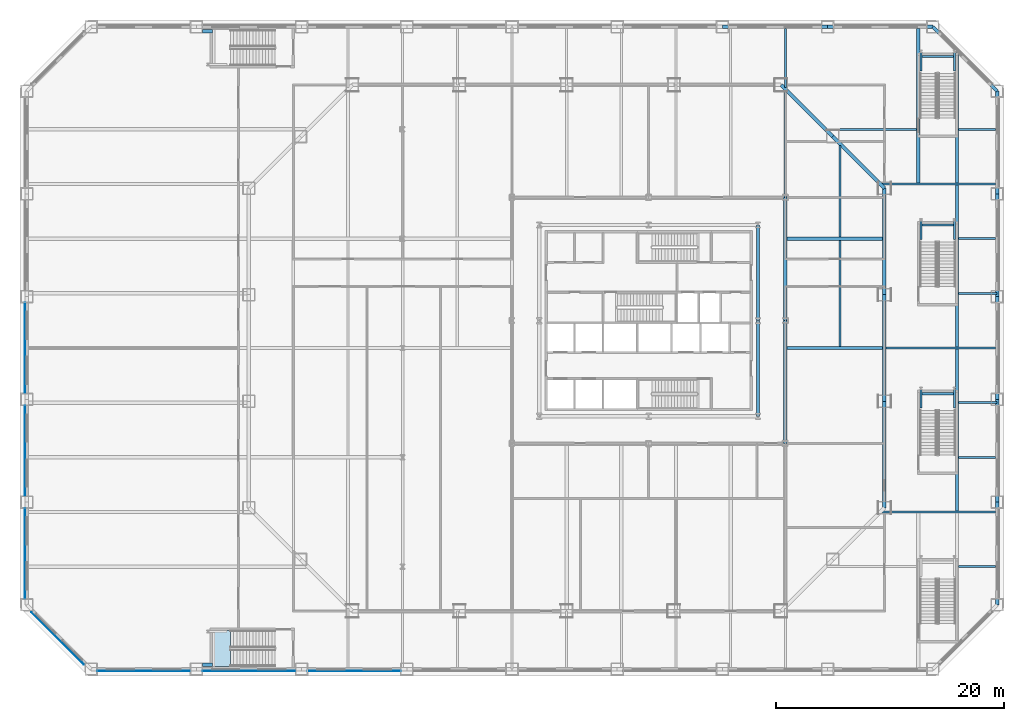
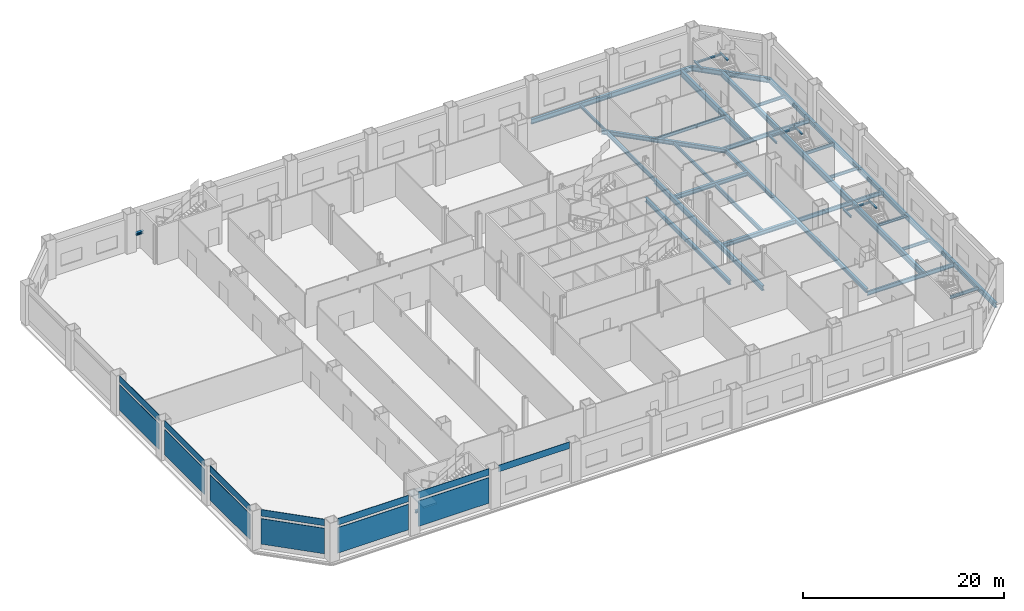
# One storey, part 10 of 26: 48 beams, 13 plates, 1 slab, 1 element without a shape of its own.
"""IFC4 building model written with IfcOpenShell, lengths in metres."""

from ifc_helpers import new_model, si_unit, direction, frame, origin, origin_2d, place, context, subcontext, project, spatial, polyline, rectangle, i_section, outline, extrude, material, layer, layer_set, material_profile, profile_set, type_object, element, aggregate, save


model = new_model("IFC4")

# Units and contexts
model_context = context("Model", 3, precision=1e-05, world=origin(), true_north=direction((0.0, 1.0)))
body_context = subcontext(model_context, "Body", "Model", "MODEL_VIEW")
ifc_project = project(units=[si_unit("LENGTHUNIT", "METRE"), si_unit("AREAUNIT", "SQUARE_METRE"), si_unit("VOLUMEUNIT", "CUBIC_METRE"), si_unit("PLANEANGLEUNIT", "RADIAN"), si_unit("MASSUNIT", "GRAM", prefix="KILO")], contexts=[model_context])

# Site, building, storey
site_placement = place(None, origin())
site = spatial("IfcSite", under=ifc_project, at=site_placement, CompositionType="ELEMENT")
building_placement = place(site_placement, origin())
building = spatial("IfcBuilding", under=site, at=building_placement, Name="Cairn Pilgrim Tower", CompositionType="ELEMENT")
storey_placement = place(building_placement, frame((0.0, 0.0, 25.800048828125)))
storey = spatial("IfcBuildingStorey", under=building, at=storey_placement, Name="L04", CompositionType="ELEMENT", Elevation=25.800048828125)

# Beams
ifc_material_1 = material(Name="Structural steel S355J2", Category="steel")
ifc_material_profile_1 = material_profile(ifc_material_1, i_section(OverallWidth=0.169921875, OverallDepth=0.360107421875, WebThickness=0.008056640625, FlangeThickness=0.0126953125, FilletRadius=0.01806640625, at=origin_2d()), Name="IPE 360")
ifc_profile_set_1 = profile_set([ifc_material_profile_1], Name="Structural steel S355J2")
beam_type_1 = type_object("IfcBeamType", Name="PODIUM BEAM IPE 360", PredefinedType="BEAM", material=ifc_profile_set_1)
for number, where, z_axis, x_axis, name in (
    (1, (34.422119140625, -19.199951171875, -0.380126953125), (1.0, 0.0, 0.0), (0.0, 1.0, 0.0), "PODIUM BEAM PB-IPE360"),
    (2, (34.422119140625, -9.60009765625, -0.380126953125), (1.0, 0.0, 0.0), (0.0, 1.0, 0.0), "PODIUM BEAM PB-IPE360"),
):
    element("IfcBeam", number, at=place(storey_placement, frame(where, z_axis=z_axis, x_axis=x_axis)), inside=storey, type_object=beam_type_1, Name=name, PredefinedType="BEAM", context=body_context, shape_type="SweptSolid", body=[
        extrude(i_section(OverallWidth=0.169921875, OverallDepth=0.360107421875, WebThickness=0.008056640625, FlangeThickness=0.0126953125, FilletRadius=0.01806640625, at=origin_2d()), origin(), (0.0, 0.0, 1.0), 3.225830078125),
    ])
for number, where, z_axis, x_axis, name in (
    (3, (34.422119140625, -4.800048828125, -0.380126953125), (1.0, 0.0, 0.0), (0.0, 1.0, 0.0), "PODIUM BEAM PB-IPE360"),
    (4, (34.422119140625, 4.800048828125, -0.380126953125), (1.0, 0.0, 0.0), (0.0, 1.0, 0.0), "PODIUM BEAM PB-IPE360"),
):
    element("IfcBeam", number, at=place(storey_placement, frame(where, z_axis=z_axis, x_axis=x_axis)), inside=storey, type_object=beam_type_1, Name=name, PredefinedType="BEAM", context=body_context, shape_type="SweptSolid", body=[
        extrude(i_section(OverallWidth=0.169921875, OverallDepth=0.360107421875, WebThickness=0.008056640625, FlangeThickness=0.0126953125, FilletRadius=0.01806640625, at=origin_2d()), origin(), (0.0, 0.0, 1.0), 3.3779296875),
    ])
for number, where, z_axis, x_axis, name in (
    (5, (34.422119140625, 9.60009765625, -0.380126953125), (1.0, 0.0, 0.0), (0.0, 1.0, 0.0), "PODIUM BEAM PB-IPE360"),
    (6, (34.422119140625, 19.199951171875, -0.380126953125), (1.0, 0.0, 0.0), (0.0, 1.0, 0.0), "PODIUM BEAM PB-IPE360"),
):
    element("IfcBeam", number, at=place(storey_placement, frame(where, z_axis=z_axis, x_axis=x_axis)), inside=storey, type_object=beam_type_1, Name=name, PredefinedType="BEAM", context=body_context, shape_type="SweptSolid", body=[
        extrude(i_section(OverallWidth=0.169921875, OverallDepth=0.360107421875, WebThickness=0.008056640625, FlangeThickness=0.0126953125, FilletRadius=0.01806640625, at=origin_2d()), origin(), (0.0, 0.0, 1.0), 3.225830078125),
    ])
beam_1_placement = place(storey_placement, frame((19.199951171875, 22.879150390625, -0.380126953125), z_axis=(0.0, 1.0, 0.0), x_axis=(-1.0, 0.0, 0.0)))
element("IfcBeam", 7, at=beam_1_placement, inside=storey, type_object=beam_type_1, Name="PODIUM BEAM PB-IPE360", PredefinedType="BEAM", context=body_context, shape_type="SweptSolid", body=[
    extrude(i_section(OverallWidth=0.169921875, OverallDepth=0.360107421875, WebThickness=0.008056640625, FlangeThickness=0.0126953125, FilletRadius=0.01806640625, at=origin_2d()), origin(), (0.0, 0.0, 1.0), 5.1689453125),
])
ifc_material_profile_2 = material_profile(ifc_material_1, i_section(OverallWidth=0.179931640625, OverallDepth=0.39990234375, WebThickness=0.008544921875, FlangeThickness=0.013427734375, FilletRadius=0.02099609375, at=origin_2d()), Name="IPE 400")
ifc_profile_set_2 = profile_set([ifc_material_profile_2], Name="Structural steel S355J2")
beam_type_2 = type_object("IfcBeamType", Name="PODIUM BEAM IPE 400", PredefinedType="BEAM", material=ifc_profile_set_2)
beam_2_placement = place(storey_placement, frame((24.0, 9.751953125, -0.400146484375), z_axis=(0.0, 1.0, 0.0), x_axis=(-1.0, 0.0, 0.0)))
element("IfcBeam", 8, at=beam_2_placement, inside=storey, type_object=beam_type_2, Name="PODIUM BEAM PB-IPE400", PredefinedType="BEAM", context=body_context, shape_type="SweptSolid", body=[
    extrude(i_section(OverallWidth=0.179931640625, OverallDepth=0.39990234375, WebThickness=0.008544921875, FlangeThickness=0.013427734375, FilletRadius=0.02099609375, at=origin_2d()), origin(), (0.0, 0.0, 1.0), 8.023193359375),
])
beam_3_placement = place(storey_placement, frame((22.879150390625, 19.199951171875, -0.400146484375), z_axis=(1.0, 0.0, 0.0), x_axis=(0.0, 1.0, 0.0)))
element("IfcBeam", 9, at=beam_3_placement, inside=storey, type_object=beam_type_2, Name="PODIUM BEAM PB-IPE400", PredefinedType="BEAM", context=body_context, shape_type="SweptSolid", body=[
    extrude(i_section(OverallWidth=0.179931640625, OverallDepth=0.39990234375, WebThickness=0.008544921875, FlangeThickness=0.013427734375, FilletRadius=0.02099609375, at=origin_2d()), origin(), (0.0, 0.0, 1.0), 7.848876953125),
])
ifc_material_profile_3 = material_profile(ifc_material_1, i_section(OverallWidth=0.199951171875, OverallDepth=0.5, WebThickness=0.01025390625, FlangeThickness=0.01611328125, FilletRadius=0.02099609375, at=origin_2d()), Name="IPE 500")
ifc_profile_set_3 = profile_set([ifc_material_profile_3], Name="Structural steel S355J2")
beam_type_3 = type_object("IfcBeamType", Name="PODIUM BEAM IPE 500", PredefinedType="BEAM", material=ifc_profile_set_3)
beam_4_placement = place(storey_placement, frame((19.199951171875, 13.199951171875, -0.449951171875), z_axis=(0.0, 1.0, 0.0), x_axis=(-1.0, 0.0, 0.0)))
element("IfcBeam", 10, at=beam_4_placement, inside=storey, type_object=beam_type_3, Name="PODIUM BEAM PB-IPE500", PredefinedType="BEAM", context=body_context, shape_type="SweptSolid", body=[
    extrude(i_section(OverallWidth=0.199951171875, OverallDepth=0.5, WebThickness=0.01025390625, FlangeThickness=0.01611328125, FilletRadius=0.02099609375, at=origin_2d()), origin(), (0.0, 0.0, 1.0), 9.375244140625),
])
beam_5_placement = place(storey_placement, frame((24.0, 0.152099609375, -0.449951171875), z_axis=(0.0, 1.0, 0.0), x_axis=(-1.0, 0.0, 0.0)))
element("IfcBeam", 11, at=beam_5_placement, inside=storey, type_object=beam_type_3, Name="PODIUM BEAM PB-IPE500", PredefinedType="BEAM", context=body_context, shape_type="SweptSolid", body=[
    extrude(i_section(OverallWidth=0.199951171875, OverallDepth=0.5, WebThickness=0.01025390625, FlangeThickness=0.01611328125, FilletRadius=0.02099609375, at=origin_2d()), origin(), (0.0, 0.0, 1.0), 9.2958984375),
])
beam_6_placement = place(storey_placement, frame((27.67919921875, -14.39990234375, -0.449951171875), z_axis=(1.0, 0.0, 0.0), x_axis=(0.0, 1.0, 0.0)))
element("IfcBeam", 12, at=beam_6_placement, inside=storey, type_object=beam_type_3, Name="PODIUM BEAM PB-IPE500", PredefinedType="BEAM", context=body_context, shape_type="SweptSolid", body=[
    extrude(i_section(OverallWidth=0.199951171875, OverallDepth=0.5, WebThickness=0.01025390625, FlangeThickness=0.01611328125, FilletRadius=0.02099609375, at=origin_2d()), origin(), (0.0, 0.0, 1.0), 9.96875),
])
beam_7_placement = place(storey_placement, frame((28.052001953125, 0.0, -0.449951171875), z_axis=(1.0, 0.0, 0.0), x_axis=(0.0, 1.0, 0.0)))
element("IfcBeam", 13, at=beam_7_placement, inside=storey, type_object=beam_type_3, Name="PODIUM BEAM PB-IPE500", PredefinedType="BEAM", context=body_context, shape_type="SweptSolid", body=[
    extrude(i_section(OverallWidth=0.199951171875, OverallDepth=0.5, WebThickness=0.01025390625, FlangeThickness=0.01611328125, FilletRadius=0.02099609375, at=origin_2d()), origin(), (0.0, 0.0, 1.0), 9.595947265625),
])
beam_8_placement = place(storey_placement, frame((27.67919921875, 14.39990234375, -0.449951171875), z_axis=(1.0, 0.0, 0.0), x_axis=(0.0, 1.0, 0.0)))
element("IfcBeam", 14, at=beam_8_placement, inside=storey, type_object=beam_type_3, Name="PODIUM BEAM PB-IPE500", PredefinedType="BEAM", context=body_context, shape_type="SweptSolid", body=[
    extrude(i_section(OverallWidth=0.199951171875, OverallDepth=0.5, WebThickness=0.01025390625, FlangeThickness=0.01611328125, FilletRadius=0.02099609375, at=origin_2d()), origin(), (0.0, 0.0, 1.0), 9.96875),
])
ifc_material_profile_4 = material_profile(ifc_material_1, i_section(OverallWidth=0.300048828125, OverallDepth=0.60009765625, WebThickness=0.015380859375, FlangeThickness=0.030029296875, FilletRadius=0.027099609375, at=origin_2d()), Name="HEB 600")
ifc_profile_set_4 = profile_set([ifc_material_profile_4], Name="Structural steel S355J2")
beam_type_4 = type_object("IfcBeamType", Name="PODIUM EDGE GIRDER HE 600 B", PredefinedType="BEAM", material=ifc_profile_set_4)
beam_9_placement = place(storey_placement, frame((37.800048828125, -22.551513671875, -0.5), z_axis=(0.0, 1.0, 0.0), x_axis=(-1.0, 0.0, 0.0)))
element("IfcBeam", 15, at=beam_9_placement, inside=storey, type_object=beam_type_4, Name="PODIUM EDGE GIRDER PE-HE600B", PredefinedType="BEAM", context=body_context, shape_type="SweptSolid", body=[
    extrude(i_section(OverallWidth=0.300048828125, OverallDepth=0.60009765625, WebThickness=0.015380859375, FlangeThickness=0.030029296875, FilletRadius=0.027099609375, at=origin_2d()), origin(), (0.0, 0.0, 1.0), 9.0205078125),
])
beam_10_placement = place(storey_placement, frame((37.800048828125, -13.531005859375, -0.5), z_axis=(0.0, 1.0, 0.0), x_axis=(-1.0, 0.0, 0.0)))
element("IfcBeam", 16, at=beam_10_placement, inside=storey, type_object=beam_type_4, Name="PODIUM EDGE GIRDER PE-HE600B", PredefinedType="BEAM", context=body_context, shape_type="SweptSolid", body=[
    extrude(i_section(OverallWidth=0.300048828125, OverallDepth=0.60009765625, WebThickness=0.015380859375, FlangeThickness=0.030029296875, FilletRadius=0.027099609375, at=origin_2d()), origin(), (0.0, 0.0, 1.0), 9.020751953125),
])
beam_11_placement = place(storey_placement, frame((37.800048828125, -4.51025390625, -0.5), z_axis=(0.0, 1.0, 0.0), x_axis=(-1.0, 0.0, 0.0)))
element("IfcBeam", 17, at=beam_11_placement, inside=storey, type_object=beam_type_4, Name="PODIUM EDGE GIRDER PE-HE600B", PredefinedType="BEAM", context=body_context, shape_type="SweptSolid", body=[
    extrude(i_section(OverallWidth=0.300048828125, OverallDepth=0.60009765625, WebThickness=0.015380859375, FlangeThickness=0.030029296875, FilletRadius=0.027099609375, at=origin_2d()), origin(), (0.0, 0.0, 1.0), 9.0205078125),
])
beam_12_placement = place(storey_placement, frame((37.800048828125, 4.51025390625, -0.5), z_axis=(0.0, 1.0, 0.0), x_axis=(-1.0, 0.0, 0.0)))
element("IfcBeam", 18, at=beam_12_placement, inside=storey, type_object=beam_type_4, Name="PODIUM EDGE GIRDER PE-HE600B", PredefinedType="BEAM", context=body_context, shape_type="SweptSolid", body=[
    extrude(i_section(OverallWidth=0.300048828125, OverallDepth=0.60009765625, WebThickness=0.015380859375, FlangeThickness=0.030029296875, FilletRadius=0.027099609375, at=origin_2d()), origin(), (0.0, 0.0, 1.0), 9.020751953125),
])
beam_13_placement = place(storey_placement, frame((37.800048828125, 13.531005859375, -0.5), z_axis=(0.0, 1.0, 0.0), x_axis=(-1.0, 0.0, 0.0)))
element("IfcBeam", 19, at=beam_13_placement, inside=storey, type_object=beam_type_4, Name="PODIUM EDGE GIRDER PE-HE600B", PredefinedType="BEAM", context=body_context, shape_type="SweptSolid", body=[
    extrude(i_section(OverallWidth=0.300048828125, OverallDepth=0.60009765625, WebThickness=0.015380859375, FlangeThickness=0.030029296875, FilletRadius=0.027099609375, at=origin_2d()), origin(), (0.0, 0.0, 1.0), 9.0205078125),
])
beam_14_placement = place(storey_placement, frame((37.800048828125, 22.551513671875, -0.5), z_axis=(-0.707106781187, 0.707106781187, 0.0), x_axis=(-0.707106781187, -0.707106781187, 0.0)))
element("IfcBeam", 20, at=beam_14_placement, inside=storey, type_object=beam_type_4, Name="PODIUM EDGE GIRDER PE-HE600B", PredefinedType="BEAM", context=body_context, shape_type="SweptSolid", body=[
    extrude(i_section(OverallWidth=0.300048828125, OverallDepth=0.60009765625, WebThickness=0.015380859375, FlangeThickness=0.030029296875, FilletRadius=0.027099609375, at=origin_2d()), origin(), (0.0, 0.0, 1.0), 7.988037109375),
])
beam_15_placement = place(storey_placement, frame((32.151611328125, 28.199951171875, -0.5), z_axis=(-1.0, 0.0, 0.0), x_axis=(0.0, -1.0, 0.0)))
element("IfcBeam", 21, at=beam_15_placement, inside=storey, type_object=beam_type_4, Name="PODIUM EDGE GIRDER PE-HE600B", PredefinedType="BEAM", context=body_context, shape_type="SweptSolid", body=[
    extrude(i_section(OverallWidth=0.300048828125, OverallDepth=0.60009765625, WebThickness=0.015380859375, FlangeThickness=0.030029296875, FilletRadius=0.027099609375, at=origin_2d()), origin(), (0.0, 0.0, 1.0), 9.238037109375),
])
beam_16_placement = place(storey_placement, frame((22.91357421875, 28.199951171875, -0.5), z_axis=(-1.0, 0.0, 0.0), x_axis=(0.0, -1.0, 0.0)))
element("IfcBeam", 22, at=beam_16_placement, inside=storey, type_object=beam_type_4, Name="PODIUM EDGE GIRDER PE-HE600B", PredefinedType="BEAM", context=body_context, shape_type="SweptSolid", body=[
    extrude(i_section(OverallWidth=0.300048828125, OverallDepth=0.60009765625, WebThickness=0.015380859375, FlangeThickness=0.030029296875, FilletRadius=0.027099609375, at=origin_2d()), origin(), (0.0, 0.0, 1.0), 9.23779296875),
])
ifc_material_profile_5 = material_profile(ifc_material_1, i_section(OverallWidth=0.300048828125, OverallDepth=0.5, WebThickness=0.014404296875, FlangeThickness=0.028076171875, FilletRadius=0.027099609375, at=origin_2d()), Name="HEB 500")
ifc_profile_set_5 = profile_set([ifc_material_profile_5], Name="Structural steel S355J2")
beam_type_5 = type_object("IfcBeamType", Name="PODIUM GIRDER HE 500 B", PredefinedType="BEAM", material=ifc_profile_set_5)
beam_17_placement = place(storey_placement, frame((27.89990234375, -14.027099609375, -0.449951171875), z_axis=(0.0, 1.0, 0.0), x_axis=(-1.0, 0.0, 0.0)))
element("IfcBeam", 23, at=beam_17_placement, inside=storey, type_object=beam_type_5, Name="PODIUM GIRDER PG-HE500B", PredefinedType="BEAM", context=body_context, shape_type="SweptSolid", body=[
    extrude(i_section(OverallWidth=0.300048828125, OverallDepth=0.5, WebThickness=0.014404296875, FlangeThickness=0.028076171875, FilletRadius=0.027099609375, at=origin_2d()), origin(), (0.0, 0.0, 1.0), 9.351318359375),
])
beam_18_placement = place(storey_placement, frame((27.89990234375, -4.67578125, -0.449951171875), z_axis=(0.0, 1.0, 0.0), x_axis=(-1.0, 0.0, 0.0)))
element("IfcBeam", 24, at=beam_18_placement, inside=storey, type_object=beam_type_5, Name="PODIUM GIRDER PG-HE500B", PredefinedType="BEAM", context=body_context, shape_type="SweptSolid", body=[
    extrude(i_section(OverallWidth=0.300048828125, OverallDepth=0.5, WebThickness=0.014404296875, FlangeThickness=0.028076171875, FilletRadius=0.027099609375, at=origin_2d()), origin(), (0.0, 0.0, 1.0), 9.3515625),
])
beam_19_placement = place(storey_placement, frame((27.89990234375, 4.67578125, -0.449951171875), z_axis=(0.0, 1.0, 0.0), x_axis=(-1.0, 0.0, 0.0)))
element("IfcBeam", 25, at=beam_19_placement, inside=storey, type_object=beam_type_5, Name="PODIUM GIRDER PG-HE500B", PredefinedType="BEAM", context=body_context, shape_type="SweptSolid", body=[
    extrude(i_section(OverallWidth=0.300048828125, OverallDepth=0.5, WebThickness=0.014404296875, FlangeThickness=0.028076171875, FilletRadius=0.027099609375, at=origin_2d()), origin(), (0.0, 0.0, 1.0), 9.351318359375),
])
for number, where, z_axis, x_axis, name in (
    (26, (27.89990234375, 14.027099609375, -0.449951171875), (-0.707087753759, 0.707125808102, 0.0), (-0.707125808102, -0.707087753759, 0.0), "PODIUM GIRDER PG-HE500B"),
    (27, (23.363525390625, 18.563720703125, -0.449951171875), (-0.707106781187, 0.707106781187, 0.0), (-0.707106781187, -0.707106781187, 0.0), "PODIUM GIRDER PG-HE500B"),
):
    element("IfcBeam", number, at=place(storey_placement, frame(where, z_axis=z_axis, x_axis=x_axis)), inside=storey, type_object=beam_type_5, Name=name, PredefinedType="BEAM", context=body_context, shape_type="SweptSolid", body=[
        extrude(i_section(OverallWidth=0.300048828125, OverallDepth=0.5, WebThickness=0.014404296875, FlangeThickness=0.028076171875, FilletRadius=0.027099609375, at=origin_2d()), origin(), (0.0, 0.0, 1.0), 6.41552734375),
    ])
beam_20_placement = place(storey_placement, frame((16.800048828125, -6.0, -0.449951171875), z_axis=(0.0, 1.0, 0.0), x_axis=(-1.0, 0.0, 0.0)))
element("IfcBeam", 28, at=beam_20_placement, inside=storey, type_object=beam_type_5, Name="PODIUM GIRDER PG-HE500B", PredefinedType="BEAM", context=body_context, shape_type="SweptSolid", body=[
    extrude(i_section(OverallWidth=0.300048828125, OverallDepth=0.5, WebThickness=0.014404296875, FlangeThickness=0.028076171875, FilletRadius=0.027099609375, at=origin_2d()), origin(), (0.0, 0.0, 1.0), 8.39990234375),
])
beam_21_placement = place(storey_placement, frame((16.800048828125, 2.39990234375, -0.449951171875), z_axis=(0.0, 1.0, 0.0), x_axis=(-1.0, 0.0, 0.0)))
element("IfcBeam", 29, at=beam_21_placement, inside=storey, type_object=beam_type_5, Name="PODIUM GIRDER PG-HE500B", PredefinedType="BEAM", context=body_context, shape_type="SweptSolid", body=[
    extrude(i_section(OverallWidth=0.300048828125, OverallDepth=0.5, WebThickness=0.014404296875, FlangeThickness=0.028076171875, FilletRadius=0.027099609375, at=origin_2d()), origin(), (0.0, 0.0, 1.0), 8.400146484375),
])
for number, where, z_axis, x_axis, name in (
    (30, (19.35205078125, 0.0, -0.449951171875), (1.0, 0.0, 0.0), (0.0, 1.0, 0.0), "PODIUM GIRDER PG-HE500B"),
    (31, (19.35205078125, 9.60009765625, -0.449951171875), (1.0, 0.0, 0.0), (0.0, 1.0, 0.0), "PODIUM GIRDER PG-HE500B"),
):
    element("IfcBeam", number, at=place(storey_placement, frame(where, z_axis=z_axis, x_axis=x_axis)), inside=storey, type_object=beam_type_5, Name=name, PredefinedType="BEAM", context=body_context, shape_type="SweptSolid", body=[
        extrude(i_section(OverallWidth=0.300048828125, OverallDepth=0.5, WebThickness=0.014404296875, FlangeThickness=0.028076171875, FilletRadius=0.027099609375, at=origin_2d()), origin(), (0.0, 0.0, 1.0), 8.39599609375),
    ])
ifc_material_profile_6 = material_profile(ifc_material_1, i_section(OverallWidth=0.300048828125, OverallDepth=0.60009765625, WebThickness=0.015380859375, FlangeThickness=0.030029296875, FilletRadius=0.027099609375, at=origin_2d()), Name="HEB 600")
ifc_profile_set_6 = profile_set([ifc_material_profile_6], Name="Structural steel S355J2")
beam_type_6 = type_object("IfcBeamType", Name="PODIUM GIRDER HE 600 B", PredefinedType="BEAM", material=ifc_profile_set_6)
beam_22_placement = place(storey_placement, frame((19.199951171875, -8.39990234375, -0.5), z_axis=(0.0, 1.0, 0.0), x_axis=(-1.0, 0.0, 0.0)))
element("IfcBeam", 32, at=beam_22_placement, inside=storey, type_object=beam_type_6, Name="PODIUM GIRDER PG-HE600B", PredefinedType="BEAM", context=body_context, shape_type="SweptSolid", body=[
    extrude(i_section(OverallWidth=0.300048828125, OverallDepth=0.60009765625, WebThickness=0.015380859375, FlangeThickness=0.030029296875, FilletRadius=0.027099609375, at=origin_2d()), origin(), (0.0, 0.0, 1.0), 10.7998046875),
])
beam_23_placement = place(storey_placement, frame((19.199951171875, 2.39990234375, -0.5), z_axis=(0.0, 1.0, 0.0), x_axis=(-1.0, 0.0, 0.0)))
element("IfcBeam", 33, at=beam_23_placement, inside=storey, type_object=beam_type_6, Name="PODIUM GIRDER PG-HE600B", PredefinedType="BEAM", context=body_context, shape_type="SweptSolid", body=[
    extrude(i_section(OverallWidth=0.300048828125, OverallDepth=0.60009765625, WebThickness=0.015380859375, FlangeThickness=0.030029296875, FilletRadius=0.027099609375, at=origin_2d()), origin(), (0.0, 0.0, 1.0), 10.800048828125),
])
beam_24_placement = place(storey_placement, frame((34.27001953125, 14.501953125, -0.5), z_axis=(0.0, 1.0, 0.0), x_axis=(-1.0, 0.0, 0.0)))
element("IfcBeam", 34, at=beam_24_placement, inside=storey, type_object=beam_type_6, Name="PODIUM GIRDER PG-HE600B", PredefinedType="BEAM", context=body_context, shape_type="SweptSolid", body=[
    extrude(i_section(OverallWidth=0.300048828125, OverallDepth=0.60009765625, WebThickness=0.015380859375, FlangeThickness=0.030029296875, FilletRadius=0.027099609375, at=origin_2d()), origin(), (0.0, 0.0, 1.0), 11.427490234375),
])
ifc_material_profile_7 = material_profile(ifc_material_1, i_section(OverallWidth=0.300048828125, OverallDepth=0.699951171875, WebThickness=0.01708984375, FlangeThickness=0.031982421875, FilletRadius=0.027099609375, at=origin_2d()), Name="HEB 700")
ifc_profile_set_7 = profile_set([ifc_material_profile_7], Name="Structural steel S355J2")
beam_type_7 = type_object("IfcBeamType", Name="PODIUM GIRDER HE 700 B", PredefinedType="BEAM", material=ifc_profile_set_7)
for number, where, z_axis, x_axis, name in (
    (35, (34.27001953125, -14.298095703125, -0.550048828125), (0.0, 1.0, 0.0), (-1.0, 0.0, 0.0), "PODIUM GIRDER PG-HE700B"),
    (36, (34.27001953125, 0.10205078125, -0.550048828125), (0.0, 1.0, 0.0), (-1.0, 0.0, 0.0), "PODIUM GIRDER PG-HE700B"),
):
    element("IfcBeam", number, at=place(storey_placement, frame(where, z_axis=z_axis, x_axis=x_axis)), inside=storey, type_object=beam_type_7, Name=name, PredefinedType="BEAM", context=body_context, shape_type="SweptSolid", body=[
        extrude(i_section(OverallWidth=0.300048828125, OverallDepth=0.699951171875, WebThickness=0.01708984375, FlangeThickness=0.031982421875, FilletRadius=0.027099609375, at=origin_2d()), origin(), (0.0, 0.0, 1.0), 14.196044921875),
    ])
beam_25_placement = place(storey_placement, frame((30.8798828125, 14.501953125, -0.550048828125), z_axis=(0.0, 1.0, 0.0), x_axis=(-1.0, 0.0, 0.0)))
element("IfcBeam", 37, at=beam_25_placement, inside=storey, type_object=beam_type_7, Name="PODIUM GIRDER PG-HE700B", PredefinedType="BEAM", context=body_context, shape_type="SweptSolid", body=[
    extrude(i_section(OverallWidth=0.300048828125, OverallDepth=0.699951171875, WebThickness=0.01708984375, FlangeThickness=0.031982421875, FilletRadius=0.027099609375, at=origin_2d()), origin(), (0.0, 0.0, 1.0), 13.546142578125),
])
ifc_material_profile_8 = material_profile(ifc_material_1, i_section(OverallWidth=0.199951171875, OverallDepth=0.199951171875, WebThickness=0.009033203125, FlangeThickness=0.014892578125, FilletRadius=0.01806640625, at=origin_2d()), Name="HE 200 B")
ifc_profile_set_8 = profile_set([ifc_material_profile_8], Name="Structural steel S355J2")
beam_type_8 = type_object("IfcBeamType", Name="STAIR LANDING BEAM HE 200 B", PredefinedType="BEAM", material=ifc_profile_set_8)
for number, where, z_axis, x_axis, name in (
    (38, (31.10498046875, -3.659912109375, 2.099853515625), (0.0, -1.0, 0.0), (1.0, 0.0, 0.0), "STAIR LANDING BEAM LD-HE200B"),
    (39, (34.044921875, -3.659912109375, 2.099853515625), (0.0, -1.0, 0.0), (1.0, 0.0, 0.0), "STAIR LANDING BEAM LD-HE200B"),
):
    element("IfcBeam", number, at=place(storey_placement, frame(where, z_axis=z_axis, x_axis=x_axis)), inside=storey, type_object=beam_type_8, Name=name, PredefinedType="BEAM", context=body_context, shape_type="SweptSolid", body=[
        extrude(i_section(OverallWidth=0.199951171875, OverallDepth=0.199951171875, WebThickness=0.009033203125, FlangeThickness=0.014892578125, FilletRadius=0.01806640625, at=origin_2d()), origin(), (0.0, 0.0, 1.0), 1.625),
    ])
beam_26_placement = place(storey_placement, frame((31.205078125, -4.0048828125, 2.099853515625), z_axis=(1.0, 0.0, 0.0), x_axis=(0.0, 1.0, 0.0)))
element("IfcBeam", 40, at=beam_26_placement, inside=storey, type_object=beam_type_8, Name="STAIR LANDING BEAM LD-HE200B", PredefinedType="BEAM", context=body_context, shape_type="SweptSolid", body=[
    extrude(i_section(OverallWidth=0.199951171875, OverallDepth=0.199951171875, WebThickness=0.009033203125, FlangeThickness=0.014892578125, FilletRadius=0.01806640625, at=origin_2d()), origin(), (0.0, 0.0, 1.0), 2.739990234375),
])
for number, where, z_axis, x_axis, name in (
    (41, (31.10498046875, 11.139892578125, 2.099853515625), (0.0, -1.0, 0.0), (1.0, 0.0, 0.0), "STAIR LANDING BEAM LD-HE200B"),
    (42, (34.044921875, 11.139892578125, 2.099853515625), (0.0, -1.0, 0.0), (1.0, 0.0, 0.0), "STAIR LANDING BEAM LD-HE200B"),
):
    element("IfcBeam", number, at=place(storey_placement, frame(where, z_axis=z_axis, x_axis=x_axis)), inside=storey, type_object=beam_type_8, Name=name, PredefinedType="BEAM", context=body_context, shape_type="SweptSolid", body=[
        extrude(i_section(OverallWidth=0.199951171875, OverallDepth=0.199951171875, WebThickness=0.009033203125, FlangeThickness=0.014892578125, FilletRadius=0.01806640625, at=origin_2d()), origin(), (0.0, 0.0, 1.0), 1.625),
    ])
beam_27_placement = place(storey_placement, frame((31.205078125, 10.794921875, 2.099853515625), z_axis=(1.0, 0.0, 0.0), x_axis=(0.0, 1.0, 0.0)))
element("IfcBeam", 43, at=beam_27_placement, inside=storey, type_object=beam_type_8, Name="STAIR LANDING BEAM LD-HE200B", PredefinedType="BEAM", context=body_context, shape_type="SweptSolid", body=[
    extrude(i_section(OverallWidth=0.199951171875, OverallDepth=0.199951171875, WebThickness=0.009033203125, FlangeThickness=0.014892578125, FilletRadius=0.01806640625, at=origin_2d()), origin(), (0.0, 0.0, 1.0), 2.739990234375),
])
for number, where, z_axis, x_axis, name in (
    (44, (31.10498046875, 25.93994140625, 2.099853515625), (0.0, -1.0, 0.0), (1.0, 0.0, 0.0), "STAIR LANDING BEAM LD-HE200B"),
    (45, (34.044921875, 25.93994140625, 2.099853515625), (0.0, -1.0, 0.0), (1.0, 0.0, 0.0), "STAIR LANDING BEAM LD-HE200B"),
):
    element("IfcBeam", number, at=place(storey_placement, frame(where, z_axis=z_axis, x_axis=x_axis)), inside=storey, type_object=beam_type_8, Name=name, PredefinedType="BEAM", context=body_context, shape_type="SweptSolid", body=[
        extrude(i_section(OverallWidth=0.199951171875, OverallDepth=0.199951171875, WebThickness=0.009033203125, FlangeThickness=0.014892578125, FilletRadius=0.01806640625, at=origin_2d()), origin(), (0.0, 0.0, 1.0), 1.625),
    ])
beam_28_placement = place(storey_placement, frame((31.205078125, 25.594970703125, 2.099853515625), z_axis=(1.0, 0.0, 0.0), x_axis=(0.0, 1.0, 0.0)))
element("IfcBeam", 46, at=beam_28_placement, inside=storey, type_object=beam_type_8, Name="STAIR LANDING BEAM LD-HE200B", PredefinedType="BEAM", context=body_context, shape_type="SweptSolid", body=[
    extrude(i_section(OverallWidth=0.199951171875, OverallDepth=0.199951171875, WebThickness=0.009033203125, FlangeThickness=0.014892578125, FilletRadius=0.01806640625, at=origin_2d()), origin(), (0.0, 0.0, 1.0), 2.739990234375),
])
ifc_material_profile_9 = material_profile(ifc_material_1, i_section(OverallWidth=0.300048828125, OverallDepth=0.300048828125, WebThickness=0.010986328125, FlangeThickness=0.01904296875, FilletRadius=0.027099609375, at=origin_2d()), Name="HE 300 B")
ifc_profile_set_9 = profile_set([ifc_material_profile_9], Name="Structural steel S355J2")
beam_type_9 = type_object("IfcBeamType", Name="STAIR LANDING BRACKET HE 300 B", PredefinedType="BEAM", material=ifc_profile_set_9)
for number, where, z_axis, x_axis, name in (
    (47, (-31.963623046875, 27.800048828125, 2.050048828125), (1.0, 0.0, 0.0), (0.0, 1.0, 0.0), "STAIR LANDING BRACKET LB-HE300B"),
    (48, (-31.963623046875, -27.800048828125, 2.050048828125), (1.0, 0.0, 0.0), (0.0, 1.0, 0.0), "STAIR LANDING BRACKET LB-HE300B"),
):
    element("IfcBeam", number, at=place(storey_placement, frame(where, z_axis=z_axis, x_axis=x_axis)), inside=storey, type_object=beam_type_9, Name=name, PredefinedType="BEAM", context=body_context, shape_type="SweptSolid", body=[
        extrude(i_section(OverallWidth=0.300048828125, OverallDepth=0.300048828125, WebThickness=0.010986328125, FlangeThickness=0.01904296875, FilletRadius=0.027099609375, at=origin_2d()), origin(), (0.0, 0.0, 1.0), 0.86865234375),
    ])

# Plates
ifc_material_2 = material(Name="Bronze anodised aluminium", Category="aluminium")
ifc_layer_1 = layer(ifc_material_2, 0.050048828125)
ifc_layer_set_1 = layer_set([ifc_layer_1], Name="BRONZE FASCIA PANEL 50")
plate_type_1 = type_object("IfcPlateType", Name="BRONZE FASCIA PANEL 50", PredefinedType="SHEET", material=ifc_layer_set_1)
for number, where, z_axis, x_axis, name in (
    (49, (-37.132568359375, -28.375, 4.0), (0.0, 0.0, 1.0), (1.0, 0.0, 0.0), "FASCIA"),
    (50, (-27.894775390625, -28.375, 4.0), (0.0, 0.0, 1.0), (1.0, 0.0, 0.0), "FASCIA"),
    (51, (-18.65673828125, -28.375, 4.0), (0.0, 0.0, 1.0), (1.0, 0.0, 0.0), "FASCIA"),
):
    element("IfcPlate", number, at=place(storey_placement, frame(where, z_axis=z_axis, x_axis=x_axis)), inside=storey, type_object=plate_type_1, Name=name, PredefinedType="SHEET", context=body_context, shape_type="SweptSolid", body=[
        extrude(rectangle(XDim=8.137939453125, YDim=0.050048828125, at=origin_2d()), origin(), (0.0, 0.0, 1.0), 0.800048828125),
    ])
for number, where, z_axis, x_axis, name in (
    (52, (-47.574951171875, 0.0, 4.0), (0.0, 0.0, 1.0), (0.0, -1.0, 0.0), "FASCIA"),
    (53, (-47.574951171875, -9.0205078125, 4.0), (0.0, 0.0, 1.0), (0.0, -1.0, 0.0), "FASCIA"),
    (54, (-47.574951171875, -18.041259765625, 4.0), (0.0, 0.0, 1.0), (0.0, -1.0, 0.0), "FASCIA"),
):
    element("IfcPlate", number, at=place(storey_placement, frame(where, z_axis=z_axis, x_axis=x_axis)), inside=storey, type_object=plate_type_1, Name=name, PredefinedType="SHEET", context=body_context, shape_type="SweptSolid", body=[
        extrude(rectangle(XDim=7.920654296875, YDim=0.050048828125, at=origin_2d()), origin(), (0.0, 0.0, 1.0), 0.800048828125),
    ])
plate_1_placement = place(storey_placement, frame((-44.699462890625, -25.49951171875, 4.0), z_axis=(0.0, 0.0, 1.0), x_axis=(0.707106781187, -0.707106781187, 0.0)))
element("IfcPlate", 55, at=plate_1_placement, inside=storey, type_object=plate_type_1, Name="FASCIA", PredefinedType="SHEET", context=body_context, shape_type="SweptSolid", body=[
    extrude(rectangle(XDim=6.50830078125, YDim=0.050048828125, at=origin_2d()), origin(), (0.0, 0.0, 1.0), 0.800048828125),
])
ifc_material_3 = material(Name="Perforated bronze anodised aluminium", Category="aluminium")
ifc_layer_2 = layer(ifc_material_3, 0.050048828125)
ifc_layer_set_2 = layer_set([ifc_layer_2], Name="COBOGO SCREEN 50 BRONZE")
plate_type_2 = type_object("IfcPlateType", Name="COBOGO SCREEN 50 BRONZE", PredefinedType="SHEET", material=ifc_layer_set_2)
for number, where, z_axis, x_axis, name in (
    (56, (-37.132568359375, -28.375, 0.599853515625), (0.0, 0.0, 1.0), (1.0, 0.0, 0.0), "SCREEN"),
    (57, (-27.894775390625, -28.375, 0.599853515625), (0.0, 0.0, 1.0), (1.0, 0.0, 0.0), "SCREEN"),
):
    element("IfcPlate", number, at=place(storey_placement, frame(where, z_axis=z_axis, x_axis=x_axis)), inside=storey, type_object=plate_type_2, Name=name, PredefinedType="SHEET", context=body_context, shape_type="SweptSolid", body=[
        extrude(rectangle(XDim=8.137939453125, YDim=0.050048828125, at=origin_2d()), origin(), (0.0, 0.0, 1.0), 3.10009765625),
    ])
for number, where, z_axis, x_axis, name in (
    (58, (-47.574951171875, 0.0, 0.599853515625), (0.0, 0.0, 1.0), (0.0, -1.0, 0.0), "SCREEN"),
    (59, (-47.574951171875, -9.0205078125, 0.599853515625), (0.0, 0.0, 1.0), (0.0, -1.0, 0.0), "SCREEN"),
    (60, (-47.574951171875, -18.041259765625, 0.599853515625), (0.0, 0.0, 1.0), (0.0, -1.0, 0.0), "SCREEN"),
):
    element("IfcPlate", number, at=place(storey_placement, frame(where, z_axis=z_axis, x_axis=x_axis)), inside=storey, type_object=plate_type_2, Name=name, PredefinedType="SHEET", context=body_context, shape_type="SweptSolid", body=[
        extrude(rectangle(XDim=7.920654296875, YDim=0.050048828125, at=origin_2d()), origin(), (0.0, 0.0, 1.0), 3.10009765625),
    ])
plate_2_placement = place(storey_placement, frame((-44.699462890625, -25.49951171875, 0.599853515625), z_axis=(0.0, 0.0, 1.0), x_axis=(0.707106781187, -0.707106781187, 0.0)))
element("IfcPlate", 61, at=plate_2_placement, inside=storey, type_object=plate_type_2, Name="SCREEN", PredefinedType="SHEET", context=body_context, shape_type="SweptSolid", body=[
    extrude(rectangle(XDim=6.50830078125, YDim=0.050048828125, at=origin_2d()), origin(), (0.0, 0.0, 1.0), 3.10009765625),
])

# Stair, slab
ifc_material_4 = material(Name="Concrete C35/45", Category="concrete")
stair_type = type_object("IfcStairType", Name="PODIUM EXIT STAIR 1500", PredefinedType="HALF_TURN_STAIR", material=ifc_material_4)
stair_placement = place(storey_placement, origin())
stair = element("IfcStair", 62, at=stair_placement, inside=storey, type_object=stair_type, Name="L04 Exit Stair Hs", PredefinedType="HALF_TURN_STAIR")
ifc_layer_3 = layer(ifc_material_4, 0.199951171875)
ifc_layer_set_3 = layer_set([ifc_layer_3], Name="PODIUM STAIR LANDING 200")
slab_type = type_object("IfcSlabType", Name="PODIUM STAIR LANDING 200", PredefinedType="LANDING", material=ifc_layer_set_3)
slab_placement = place(storey_placement, frame((0.0, 0.0, 2.199951171875)))
slab = element("IfcSlab", 63, at=slab_placement, type_object=slab_type, Name="ST-HS landing 1", PredefinedType="LANDING", context=body_context, shape_type="SweptSolid", body=[
    extrude(outline(polyline([(-29.52001953125, -24.800048828125), (-31.10009765625, -24.800048828125), (-31.10009765625, -27.949951171875), (-29.52001953125, -27.949951171875), (-29.52001953125, -24.800048828125)])), origin(), (0.0, 0.0, 1.0), 0.199951171875),
])
aggregate(stair, [slab])

save(model, "model.ifc")
